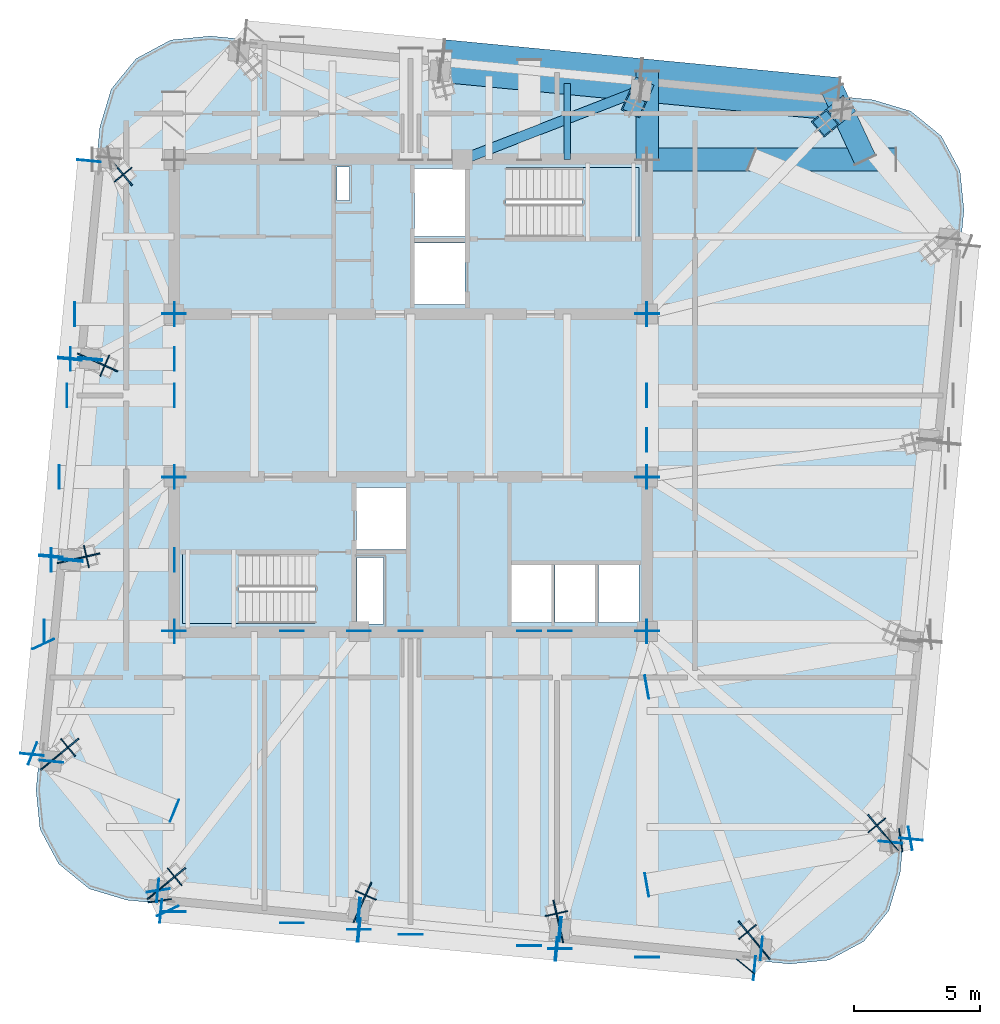
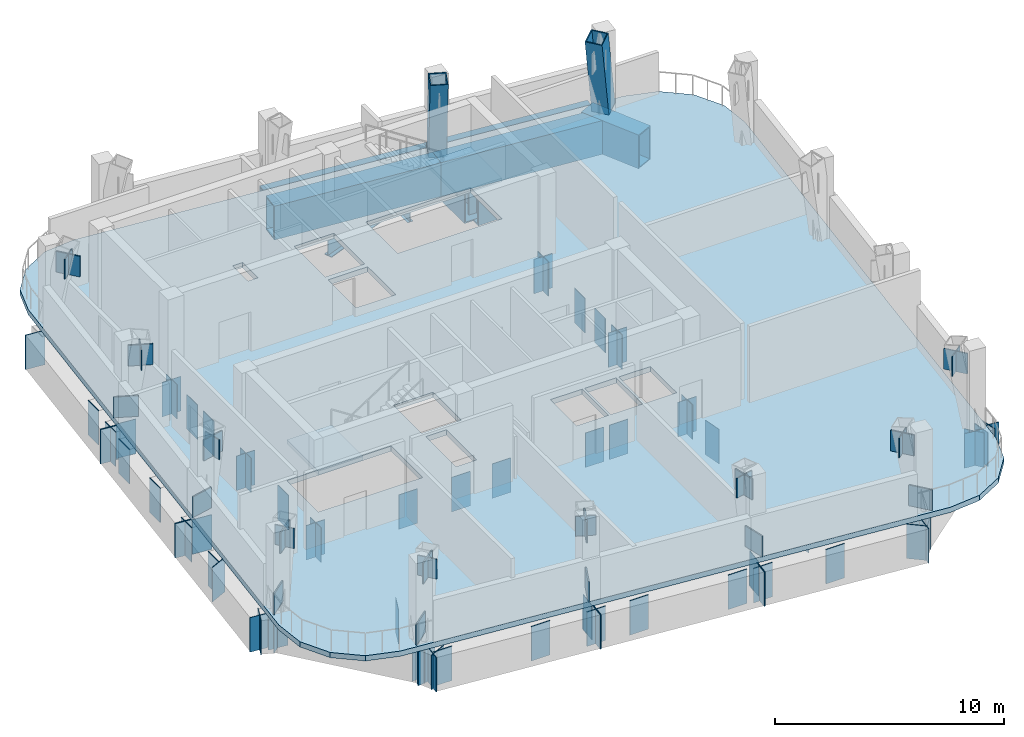
# One storey, part 3 of 9: 100 plates, 9 beams, 3 slabs, 2 members, 2 elements without a shape of their own.
"""IFC4 building model written with IfcOpenShell, lengths in metres."""

from ifc_helpers import new_model, si_unit, direction, frame, origin, origin_2d, place, context, subcontext, project, spatial, polyline, rectangle, hollow_rectangle, i_section, outline, extrude, material, layer, layer_set, material_profile, profile_set, type_object, element, aggregate, save


model = new_model("IFC4")

# Units and contexts
model_context = context("Model", 3, precision=1e-05, world=origin(), true_north=direction((0.0, 1.0)))
body_context = subcontext(model_context, "Body", "Model", "MODEL_VIEW")
ifc_project = project(units=[si_unit("LENGTHUNIT", "METRE"), si_unit("AREAUNIT", "SQUARE_METRE"), si_unit("VOLUMEUNIT", "CUBIC_METRE"), si_unit("PLANEANGLEUNIT", "RADIAN"), si_unit("MASSUNIT", "GRAM", prefix="KILO")], contexts=[model_context])

# Site, building, storey
site_placement = place(None, origin())
site = spatial("IfcSite", under=ifc_project, at=site_placement, CompositionType="ELEMENT")
building_placement = place(site_placement, origin())
building = spatial("IfcBuilding", under=site, at=building_placement, Name="Qhalaya Broadcast Tower", CompositionType="ELEMENT")
storey_placement = place(building_placement, frame((0.0, 0.0, 284.89990234375)))
storey = spatial("IfcBuildingStorey", under=building, at=storey_placement, Name="L84", CompositionType="ELEMENT", Elevation=284.89990234375)

# Beams
ifc_material_1 = material(Name="Structural Steel ASTM A572 Grade 50", Category="steel")
ifc_material_profile_1 = material_profile(ifc_material_1, hollow_rectangle(XDim=0.89990234375, YDim=1.800048828125, WallThickness=0.06005859375, at=origin_2d()), Name="BOX 900x1800x60")
ifc_profile_set_1 = profile_set([ifc_material_profile_1], Name="Structural Steel ASTM A572 Grade 50")
beam_type_1 = type_object("IfcBeamType", Name="Block Cantilever Transfer Box Girder TG1", PredefinedType="USERDEFINED", material=ifc_profile_set_1)
beam_1_placement = place(storey_placement, frame((17.08544921875, 11.93310546875, -1.179931640625), z_axis=(-0.995398119444, 0.095825799278, 0.0), x_axis=(-0.095825799278, -0.995398119444, 0.0)))
element("IfcBeam", 1, at=beam_1_placement, inside=storey, type_object=beam_type_1, Name="L84 TG1 L84-SPR-09", ObjectType="GIRDER", PredefinedType="USERDEFINED", context=body_context, shape_type="SweptSolid", body=[
    extrude(hollow_rectangle(XDim=0.89990234375, YDim=1.800048828125, WallThickness=0.06005859375, at=origin_2d()), origin(), (0.0, 0.0, 1.0), 8.0),
])
beam_2_placement = place(storey_placement, frame((9.122314453125, 12.69970703125, -1.179931640625), z_axis=(-0.995395488456, 0.095853124938, 0.0), x_axis=(-0.095853124938, -0.995395488456, 0.0)))
element("IfcBeam", 2, at=beam_2_placement, inside=storey, type_object=beam_type_1, Name="L84 TG1 L84-SPR-10", ObjectType="GIRDER", PredefinedType="USERDEFINED", context=body_context, shape_type="SweptSolid", body=[
    extrude(hollow_rectangle(XDim=0.89990234375, YDim=1.800048828125, WallThickness=0.06005859375, at=origin_2d()), origin(), (0.0, 0.0, 1.0), 8.000244140625),
])
beam_3_placement = place(storey_placement, frame((16.962890625, 12.74853515625, -1.179931640625), z_axis=(-0.995397023367, 0.095837184179, 0.0), x_axis=(-0.095837184179, -0.995397023367, 0.0)))
element("IfcBeam", 3, at=beam_3_placement, inside=storey, type_object=beam_type_1, Name="L84 TG1 L84-TGL-09", ObjectType="GIRDER", PredefinedType="USERDEFINED", context=body_context, shape_type="SweptSolid", body=[
    extrude(hollow_rectangle(XDim=0.89990234375, YDim=1.800048828125, WallThickness=0.06005859375, at=origin_2d()), origin(), (0.0, 0.0, 1.0), 7.866455078125),
])
beam_4_placement = place(storey_placement, frame((9.132568359375, 13.50244140625, -1.179931640625), z_axis=(-0.995397308407, 0.095834223619, 0.0), x_axis=(-0.095834223619, -0.995397308407, 0.0)))
element("IfcBeam", 4, at=beam_4_placement, inside=storey, type_object=beam_type_1, Name="L84 TG1 L84-TGL-10", ObjectType="GIRDER", PredefinedType="USERDEFINED", context=body_context, shape_type="SweptSolid", body=[
    extrude(hollow_rectangle(XDim=0.89990234375, YDim=1.800048828125, WallThickness=0.06005859375, at=origin_2d()), origin(), (0.0, 0.0, 1.0), 7.86669921875),
])
beam_5_placement = place(storey_placement, frame((9.375, 9.949951171875, -1.179931640625), z_axis=(0.0, 1.0, 0.0), x_axis=(-1.0, 0.0, 0.0)))
element("IfcBeam", 5, at=beam_5_placement, inside=storey, type_object=beam_type_1, Name="L84 TG1 L84-TGINE-1", ObjectType="GIRDER", PredefinedType="USERDEFINED", context=body_context, shape_type="SweptSolid", body=[
    extrude(hollow_rectangle(XDim=0.89990234375, YDim=1.800048828125, WallThickness=0.06005859375, at=origin_2d()), origin(), (0.0, 0.0, 1.0), 3.489013671875),
])
beam_6_placement = place(storey_placement, frame((9.375, 9.949951171875, -1.179931640625), z_axis=(1.0, 0.0, 0.0), x_axis=(0.0, 1.0, 0.0)))
element("IfcBeam", 6, at=beam_6_placement, inside=storey, type_object=beam_type_1, Name="L84 TG1 L84-TGIY4E-1", ObjectType="GIRDER", PredefinedType="USERDEFINED", context=body_context, shape_type="SweptSolid", body=[
    extrude(hollow_rectangle(XDim=0.89990234375, YDim=1.800048828125, WallThickness=0.06005859375, at=origin_2d()), origin(), (0.0, 0.0, 1.0), 9.843017578125),
])
beam_7_placement = place(storey_placement, frame((16.712646484375, 12.732421875, -1.179931640625), z_axis=(0.422585054242, -0.906323271207, 0.0), x_axis=(0.906323271207, 0.422585054242, 0.0)))
element("IfcBeam", 7, at=beam_7_placement, inside=storey, type_object=beam_type_1, Name="L84 Spanning Transfer Box Girder 09", ObjectType="GIRDER", PredefinedType="USERDEFINED", context=body_context, shape_type="SweptSolid", body=[
    extrude(hollow_rectangle(XDim=0.89990234375, YDim=1.800048828125, WallThickness=0.06005859375, at=origin_2d()), origin(), (0.0, 0.0, 1.0), 3.070068359375),
])
ifc_material_2 = material(Name="Structural Steel ASTM A992 Grade 50", Category="steel")
ifc_material_profile_2 = material_profile(ifc_material_2, i_section(OverallWidth=0.26708984375, OverallDepth=0.761962890625, WebThickness=0.014404296875, FlangeThickness=0.021484375, at=origin_2d()), Name="W30X116")
ifc_profile_set_2 = profile_set([ifc_material_profile_2], Name="Structural Steel ASTM A992 Grade 50")
beam_type_2 = type_object("IfcBeamType", Name="Plant & Server Floor Beam B02", PredefinedType="BEAM", material=ifc_profile_set_2)
beam_8_placement = place(storey_placement, frame((6.199951171875, 9.949951171875, -0.660888671875), z_axis=(0.0, 1.0, 0.0), x_axis=(-1.0, 0.0, 0.0)))
element("IfcBeam", 8, at=beam_8_placement, inside=storey, type_object=beam_type_2, Name="L84 B02 L84-JNN5-1", PredefinedType="BEAM", context=body_context, shape_type="SweptSolid", body=[
    extrude(i_section(OverallWidth=0.26708984375, OverallDepth=0.761962890625, WebThickness=0.014404296875, FlangeThickness=0.021484375, at=origin_2d()), origin(), (0.0, 0.0, 1.0), 3.010986328125),
])
ifc_material_profile_3 = material_profile(ifc_material_2, i_section(OverallWidth=0.404052734375, OverallDepth=1.117919921875, WebThickness=0.026123046875, FlangeThickness=0.044921875, at=origin_2d()), Name="W44X335")
ifc_profile_set_3 = profile_set([ifc_material_profile_3], Name="Structural Steel ASTM A992 Grade 50")
beam_type_3 = type_object("IfcBeamType", Name="Podium Long-Span Primary Girder PG1", PredefinedType="USERDEFINED", material=ifc_profile_set_3)
beam_9_placement = place(storey_placement, frame((2.050048828125, 9.949951171875, -0.8388671875), z_axis=(0.932030029297, 0.362381048743, 0.0), x_axis=(-0.362381048743, 0.932030029297, 0.0)))
element("IfcBeam", 9, at=beam_9_placement, inside=storey, type_object=beam_type_3, Name="L84 Column-to-Column Moment Tie Girder 10-1", ObjectType="GIRDER", PredefinedType="USERDEFINED", context=body_context, shape_type="SweptSolid", body=[
    extrude(i_section(OverallWidth=0.404052734375, OverallDepth=1.117919921875, WebThickness=0.026123046875, FlangeThickness=0.044921875, at=origin_2d()), origin(), (0.0, 0.0, 1.0), 7.588134765625),
])

# Members
ifc_material_profile_4 = material_profile(ifc_material_1, hollow_rectangle(XDim=0.800048828125, YDim=0.800048828125, WallThickness=0.050048828125, at=origin_2d()), Name="BOX 800x800x50")
ifc_profile_set_4 = profile_set([ifc_material_profile_4], Name="Structural Steel ASTM A572 Grade 50")
member_type = type_object("IfcMemberType", Name="Upper Exoskeleton Transfer Strut RK2", PredefinedType="BRACE", material=ifc_profile_set_4)
member_1_placement = place(storey_placement, frame((17.08544921875, 11.93310546875, 0.088134765625), z_axis=(-0.150676893233, -0.124215738605, 0.980748145106), x_axis=(0.636100456597, -0.771606252643, 0.0)))
element("IfcMember", 10, at=member_1_placement, inside=storey, type_object=member_type, Name="L84 Inclined Exoskeleton Transfer Strut 09", PredefinedType="BRACE", context=body_context, shape_type="SweptSolid", body=[
    extrude(hollow_rectangle(XDim=0.800048828125, YDim=0.800048828125, WallThickness=0.050048828125, at=origin_2d()), origin(), (0.0, 0.0, 1.0), 4.345703125),
])
member_2_placement = place(storey_placement, frame((9.122314453125, 12.69970703125, 0.068603515625), z_axis=(-0.059343183873, -0.133578573584, 0.989259900737), x_axis=(0.913875195461, -0.405995230416, 0.0)))
element("IfcMember", 11, at=member_2_placement, inside=storey, type_object=member_type, Name="L84 Inclined Exoskeleton Transfer Strut 10", PredefinedType="BRACE", context=body_context, shape_type="SweptSolid", body=[
    extrude(hollow_rectangle(XDim=0.800048828125, YDim=0.800048828125, WallThickness=0.050048828125, at=origin_2d()), origin(), (0.0, 0.0, 1.0), 4.327880859375),
])

# Plates
ifc_layer_1 = layer(ifc_material_1, 0.054931640625, Name="Structural Steel ASTM A572 Grade 50")
ifc_layer_set_1 = layer_set([ifc_layer_1], Name="Structural Steel ASTM A572 Grade 50")
plate_type_1 = type_object("IfcPlateType", Name="Exoskeleton Diamond Node Gusset Plate NP-01", PredefinedType="USERDEFINED", material=ifc_layer_set_1)
for number, where, z_axis, x_axis, name in (
    (12, (-10.00537109375, -19.012939453125, 0.0), (0.0, 0.0, 1.0), (0.771613481611, 0.63609168757, 0.0), "L84 Strut Foot Gusset Plate 01"),
    (13, (-9.3505859375, -18.47314453125, 2.7099609375), (0.0, 0.0, 1.0), (0.771613481611, 0.63609168757, 0.0), "L84 Strut Head Gusset Plate 01"),
    (14, (-2.042236328125, -19.77978515625, 0.0), (0.0, 0.0, 1.0), (0.405763805803, 0.913977972328, 0.0), "L84 Strut Foot Gusset Plate 02"),
    (15, (-1.78564453125, -19.20166015625, 2.7099609375), (0.0, 0.0, 1.0), (0.405763805803, 0.913977972328, 0.0), "L84 Strut Head Gusset Plate 02"),
    (16, (5.9208984375, -20.54638671875, 0.0), (0.0, 0.0, 1.0), (-0.223896552969, 0.974612914735, 0.0), "L84 Strut Foot Gusset Plate 03"),
    (17, (5.779296875, -19.93017578125, 2.7099609375), (0.0, 0.0, 1.0), (-0.223896552969, 0.974612914735, 0.0), "L84 Strut Head Gusset Plate 03"),
    (18, (13.884033203125, -21.313232421875, 0.0), (0.0, 0.0, 1.0), (-0.636024349169, 0.771668988144, 0.0), "L84 Strut Foot Gusset Plate 04"),
    (19, (13.344482421875, -20.658447265625, 2.7099609375), (0.0, 0.0, 1.0), (-0.636024349169, 0.771668988144, 0.0), "L84 Strut Head Gusset Plate 04"),
    (20, (18.47314453125, -16.4306640625, 2.7099609375), (0.0, 0.0, 1.0), (-0.63609168757, 0.771613481611, 0.0), "L84 Strut Head Gusset Plate 05"),
    (21, (-11.393310546875, 9.3505859375, 2.7099609375), (0.0, 0.0, 1.0), (0.63609168757, -0.771613481611, 0.0), "L84 Strut Head Gusset Plate 13"),
    (22, (-12.69970703125, 2.042236328125, 0.0), (0.0, 0.0, 1.0), (0.913977972328, -0.405763805803, 0.0), "L84 Strut Foot Gusset Plate 14"),
    (23, (-12.12158203125, 1.78564453125, 2.7099609375), (0.0, 0.0, 1.0), (0.913977972328, -0.405763805803, 0.0), "L84 Strut Head Gusset Plate 14"),
    (24, (-13.466552734375, -5.9208984375, 0.0), (0.0, 0.0, 1.0), (0.974612914735, 0.223896552969, 0.0), "L84 Strut Foot Gusset Plate 15"),
    (25, (-12.85009765625, -5.779296875, 2.7099609375), (0.0, 0.0, 1.0), (0.974612914735, 0.223896552969, 0.0), "L84 Strut Head Gusset Plate 15"),
    (26, (-14.2333984375, -13.884033203125, 0.0), (0.0, 0.0, 1.0), (0.771668988144, 0.636024349169, 0.0), "L84 Strut Foot Gusset Plate 16"),
    (27, (-13.57861328125, -13.344482421875, 2.7099609375), (0.0, 0.0, 1.0), (0.771668988144, 0.636024349169, 0.0), "L84 Strut Head Gusset Plate 16"),
):
    element("IfcPlate", number, at=place(storey_placement, frame(where, z_axis=z_axis, x_axis=x_axis)), inside=storey, type_object=plate_type_1, Name=name, ObjectType="GUSSET_PLATE", PredefinedType="USERDEFINED", context=body_context, shape_type="SweptSolid", body=[
        extrude(rectangle(XDim=1.10009765625, YDim=0.06005859375, at=origin_2d()), origin(), (0.0, 0.0, 1.0), 1.10009765625),
    ])
ifc_layer_2 = layer(ifc_material_1, 0.4599609375, Name="Structural Steel ASTM A572 Grade 50")
ifc_layer_set_2 = layer_set([ifc_layer_2], Name="Structural Steel ASTM A572 Grade 50")
plate_type_2 = type_object("IfcPlateType", Name="Hollow Box Member End Cap Plate CP-01", PredefinedType="USERDEFINED", material=ifc_layer_set_2)
for number, where, z_axis, x_axis, name in (
    (28, (-10.021240234375, -19.011474609375, -2.10009765625), (0.0, 0.0, 1.0), (0.09584575252, 0.995396198367, 0.0), "L84 Hollow Girder End Cap L84-SPR-01-A"),
    (29, (-2.0263671875, -19.78125, -2.10009765625), (0.0, 0.0, 1.0), (0.09584575252, 0.995396198367, 0.0), "L84 Hollow Girder End Cap L84-SPR-01-B"),
    (30, (-2.05810546875, -19.7783203125, -2.10009765625), (0.0, 0.0, 1.0), (0.09584575252, 0.995396198367, 0.0), "L84 Hollow Girder End Cap L84-SPR-02-A"),
    (31, (5.93701171875, -20.548095703125, -2.10009765625), (0.0, 0.0, 1.0), (0.09584575252, 0.995396198367, 0.0), "L84 Hollow Girder End Cap L84-SPR-02-B"),
    (32, (5.905029296875, -20.544921875, -2.10009765625), (0.0, 0.0, 1.0), (0.09584575252, 0.995396198367, 0.0), "L84 Hollow Girder End Cap L84-SPR-03-A"),
    (33, (13.89990234375, -21.314697265625, -2.10009765625), (0.0, 0.0, 1.0), (0.09584575252, 0.995396198367, 0.0), "L84 Hollow Girder End Cap L84-SPR-03-B"),
    (34, (13.871826171875, -21.323486328125, -2.10009765625), (0.0, 0.0, 1.0), (-0.636078220278, 0.771624583388, 0.0), "L84 Hollow Girder End Cap L84-SPR-04-A"),
    (35, (19.025390625, -17.0751953125, -2.10009765625), (0.0, 0.0, 1.0), (-0.636078220278, 0.771624583388, 0.0), "L84 Hollow Girder End Cap L84-SPR-04-B"),
    (36, (19.011474609375, -17.101318359375, -2.10009765625), (0.0, 0.0, 1.0), (-0.995396198367, 0.09584575252, 0.0), "L84 Hollow Girder End Cap L84-SPR-05-A"),
    (37, (-12.701171875, 2.0263671875, -2.10009765625), (0.0, 0.0, 1.0), (0.995396198367, -0.09584575252, 0.0), "L84 Hollow Girder End Cap L84-SPR-13-B"),
    (38, (-12.6982421875, 2.05810546875, -2.10009765625), (0.0, 0.0, 1.0), (0.995396198367, -0.09584575252, 0.0), "L84 Hollow Girder End Cap L84-SPR-14-A"),
    (39, (-13.468017578125, -5.93701171875, -2.10009765625), (0.0, 0.0, 1.0), (0.995396198367, -0.09584575252, 0.0), "L84 Hollow Girder End Cap L84-SPR-14-B"),
    (40, (-13.465087890625, -5.905029296875, -2.10009765625), (0.0, 0.0, 1.0), (0.995396198367, -0.09584575252, 0.0), "L84 Hollow Girder End Cap L84-SPR-15-A"),
    (41, (-14.23486328125, -13.89990234375, -2.10009765625), (0.0, 0.0, 1.0), (0.995396198367, -0.09584575252, 0.0), "L84 Hollow Girder End Cap L84-SPR-15-B"),
    (42, (-14.243408203125, -13.871826171875, -2.10009765625), (0.0, 0.0, 1.0), (0.771624583388, 0.636078220278, 0.0), "L84 Hollow Girder End Cap L84-SPR-16-A"),
    (43, (-9.9951171875, -19.025390625, -2.10009765625), (0.0, 0.0, 1.0), (0.771624583388, 0.636078220278, 0.0), "L84 Hollow Girder End Cap L84-SPR-16-B"),
    (44, (-9.89892578125, -19.826904296875, -2.10009765625), (0.0, 0.0, 1.0), (0.095828379565, 0.99539787104, 0.0), "L84 Hollow Girder End Cap L84-TGL-01-A"),
    (45, (-2.03662109375, -20.583984375, -2.10009765625), (0.0, 0.0, 1.0), (0.095828379565, 0.99539787104, 0.0), "L84 Hollow Girder End Cap L84-TGL-01-B"),
    (46, (-2.068359375, -20.580810546875, -2.10009765625), (0.0, 0.0, 1.0), (0.09584575252, 0.995396198367, 0.0), "L84 Hollow Girder End Cap L84-TGL-02-A"),
    (47, (5.793701171875, -21.337890625, -2.10009765625), (0.0, 0.0, 1.0), (0.09584575252, 0.995396198367, 0.0), "L84 Hollow Girder End Cap L84-TGL-02-B"),
    (48, (5.761962890625, -21.3349609375, -2.10009765625), (0.0, 0.0, 1.0), (0.09584575252, 0.995396198367, 0.0), "L84 Hollow Girder End Cap L84-TGL-03-A"),
    (49, (13.624267578125, -22.091796875, -2.10009765625), (0.0, 0.0, 1.0), (0.09584575252, 0.995396198367, 0.0), "L84 Hollow Girder End Cap L84-TGL-03-B"),
    (50, (19.826904296875, -16.97900390625, -2.10009765625), (0.0, 0.0, 1.0), (-0.99539787104, 0.095828379565, 0.0), "L84 Hollow Girder End Cap L84-TGL-05-A"),
    (51, (-12.7470703125, 9.89892578125, -2.10009765625), (0.0, 0.0, 1.0), (0.99539787104, -0.095828379565, 0.0), "L84 Hollow Girder End Cap L84-TGL-13-A"),
    (52, (-13.50390625, 2.03662109375, -2.10009765625), (0.0, 0.0, 1.0), (0.99539787104, -0.095828379565, 0.0), "L84 Hollow Girder End Cap L84-TGL-13-B"),
    (53, (-13.5009765625, 2.068359375, -2.10009765625), (0.0, 0.0, 1.0), (0.995396198367, -0.09584575252, 0.0), "L84 Hollow Girder End Cap L84-TGL-14-A"),
    (54, (-14.2578125, -5.793701171875, -2.10009765625), (0.0, 0.0, 1.0), (0.995396198367, -0.09584575252, 0.0), "L84 Hollow Girder End Cap L84-TGL-14-B"),
    (55, (-14.2548828125, -5.761962890625, -2.10009765625), (0.0, 0.0, 1.0), (0.995396198367, -0.09584575252, 0.0), "L84 Hollow Girder End Cap L84-TGL-15-A"),
    (56, (-15.011962890625, -13.624267578125, -2.10009765625), (0.0, 0.0, 1.0), (0.995396198367, -0.09584575252, 0.0), "L84 Hollow Girder End Cap L84-TGL-15-B"),
    (57, (0.0, -20.755859375, -2.10009765625), (0.0, 0.0, 1.0), (-1.0, 0.0, 0.0), "L84 Hollow Girder End Cap L84-TGIMS-1-A"),
    (58, (0.0, -8.73388671875, -2.10009765625), (0.0, 0.0, 1.0), (-1.0, 0.0, 0.0), "L84 Hollow Girder End Cap L84-TGIMS-1-B"),
    (59, (-4.699951171875, -20.30322265625, -2.10009765625), (0.0, 0.0, 1.0), (-1.0, 0.0, 0.0), "L84 Hollow Girder End Cap L84-TGIMSW-1-A"),
    (60, (-4.699951171875, -8.73388671875, -2.10009765625), (0.0, 0.0, 1.0), (-1.0, 0.0, 0.0), "L84 Hollow Girder End Cap L84-TGIMSW-1-B"),
    (61, (4.699951171875, -21.20849609375, -2.10009765625), (0.0, 0.0, 1.0), (-1.0, 0.0, 0.0), "L84 Hollow Girder End Cap L84-TGIMSE-1-A"),
    (62, (4.699951171875, -8.73388671875, -2.10009765625), (0.0, 0.0, 1.0), (-1.0, 0.0, 0.0), "L84 Hollow Girder End Cap L84-TGIMSE-1-B"),
    (63, (-13.6181640625, 0.60009765625, -2.10009765625), (0.0, 0.0, 1.0), (0.0, 1.0, 0.0), "L84 Hollow Girder End Cap L84-TGIYW-1-A"),
    (64, (-9.35888671875, 0.60009765625, -2.10009765625), (0.0, 0.0, 1.0), (0.0, 1.0, 0.0), "L84 Hollow Girder End Cap L84-TGIYW-1-B"),
    (65, (9.35888671875, 0.60009765625, -2.10009765625), (0.0, 0.0, 1.0), (0.0, 1.0, 0.0), "L84 Hollow Girder End Cap L84-TGIYE-1-A"),
    (66, (-9.375, -19.853271484375, -2.10009765625), (0.0, 0.0, 1.0), (-1.0, 0.0, 0.0), "L84 Hollow Girder End Cap L84-TGISW-1-A"),
    (67, (-9.375, -8.73388671875, -2.10009765625), (0.0, 0.0, 1.0), (-1.0, 0.0, 0.0), "L84 Hollow Girder End Cap L84-TGISW-1-B"),
    (68, (9.375, -21.65869140625, -2.10009765625), (0.0, 0.0, 1.0), (-1.0, 0.0, 0.0), "L84 Hollow Girder End Cap L84-TGISE-1-A"),
    (69, (9.375, -8.73388671875, -2.10009765625), (0.0, 0.0, 1.0), (-1.0, 0.0, 0.0), "L84 Hollow Girder End Cap L84-TGISE-1-B"),
    (70, (-9.375, -2.64111328125, -2.10009765625), (0.0, 0.0, 1.0), (-1.0, 0.0, 0.0), "L84 Hollow Girder End Cap L84-TGIMW-1-A"),
    (71, (-9.375, 3.841064453125, -2.10009765625), (0.0, 0.0, 1.0), (-1.0, 0.0, 0.0), "L84 Hollow Girder End Cap L84-TGIMW-1-B"),
    (72, (9.375, -2.64111328125, -2.10009765625), (0.0, 0.0, 1.0), (-1.0, 0.0, 0.0), "L84 Hollow Girder End Cap L84-TGIME-1-A"),
    (73, (9.375, 3.841064453125, -2.10009765625), (0.0, 0.0, 1.0), (-1.0, 0.0, 0.0), "L84 Hollow Girder End Cap L84-TGIME-1-B"),
    (74, (-14.518310546875, -8.75, -2.10009765625), (0.0, 0.0, 1.0), (0.0, 1.0, 0.0), "L84 Hollow Girder End Cap L84-TGIY1W-1-A"),
    (75, (-9.35888671875, -8.75, -2.10009765625), (0.0, 0.0, 1.0), (0.0, 1.0, 0.0), "L84 Hollow Girder End Cap L84-TGIY1W-1-B"),
    (76, (9.35888671875, -8.75, -2.10009765625), (0.0, 0.0, 1.0), (0.0, 1.0, 0.0), "L84 Hollow Girder End Cap L84-TGIY1E-1-A"),
    (77, (-13.9287109375, -2.625, -2.10009765625), (0.0, 0.0, 1.0), (0.0, 1.0, 0.0), "L84 Hollow Girder End Cap L84-TGIY2W-1-A"),
    (78, (-9.35888671875, -2.625, -2.10009765625), (0.0, 0.0, 1.0), (0.0, 1.0, 0.0), "L84 Hollow Girder End Cap L84-TGIY2W-1-B"),
    (79, (9.35888671875, -2.625, -2.10009765625), (0.0, 0.0, 1.0), (0.0, 1.0, 0.0), "L84 Hollow Girder End Cap L84-TGIY2E-1-A"),
    (80, (-13.3076171875, 3.824951171875, -2.10009765625), (0.0, 0.0, 1.0), (0.0, 1.0, 0.0), "L84 Hollow Girder End Cap L84-TGIY3W-1-A"),
    (81, (-9.35888671875, 3.824951171875, -2.10009765625), (0.0, 0.0, 1.0), (0.0, 1.0, 0.0), "L84 Hollow Girder End Cap L84-TGIY3W-1-B"),
    (82, (9.35888671875, 3.824951171875, -2.10009765625), (0.0, 0.0, 1.0), (0.0, 1.0, 0.0), "L84 Hollow Girder End Cap L84-TGIY3E-1-A"),
    (83, (-14.55859375, -9.248779296875, -2.10009765625), (0.0, 0.0, 1.0), (0.906307787037, 0.422618261741, 0.0), "L84 Hollow Girder End Cap L84-TGC-01-A"),
    (84, (-9.625732421875, -19.826904296875, -2.10009765625), (0.0, 0.0, 1.0), (0.906307787037, 0.422618261741, 0.0), "L84 Hollow Girder End Cap L84-TGC-01-B"),
):
    element("IfcPlate", number, at=place(storey_placement, frame(where, z_axis=z_axis, x_axis=x_axis)), inside=storey, type_object=plate_type_2, Name=name, ObjectType="COVER_PLATE", PredefinedType="USERDEFINED", context=body_context, shape_type="SweptSolid", body=[
        extrude(rectangle(XDim=0.93994140625, YDim=0.031982421875, at=origin_2d()), origin(), (0.0, 0.0, 1.0), 1.840087890625),
    ])
plate_placement = place(storey_placement, frame((-10.00537109375, -19.012939453125, -2.080078125), z_axis=(0.0, 0.0, 1.0), x_axis=(-0.988922796752, -0.148430798906, 0.0)))
element("IfcPlate", 85, at=plate_placement, inside=storey, type_object=plate_type_2, Name="L84 Transfer Box End Cap 01", ObjectType="COVER_PLATE", PredefinedType="USERDEFINED", context=body_context, shape_type="SweptSolid", body=[
    extrude(rectangle(XDim=0.919921875, YDim=0.035888671875, at=origin_2d()), origin(), (0.0, 0.0, 1.0), 1.800048828125),
])
for number, where, z_axis, x_axis, name in (
    (86, (-2.042236328125, -20.55908203125, -2.10009765625), (0.0, 0.0, 1.0), (-1.0, 0.0, 0.0), "L84 Hollow Girder End Cap L84-TGC-02-A"),
    (87, (-2.042236328125, -8.73388671875, -2.10009765625), (0.0, 0.0, 1.0), (-1.0, 0.0, 0.0), "L84 Hollow Girder End Cap L84-TGC-02-B"),
    (88, (5.9208984375, -21.325927734375, -2.10009765625), (0.0, 0.0, 1.0), (-1.0, 0.0, 0.0), "L84 Hollow Girder End Cap L84-TGC-03-A"),
    (89, (5.9208984375, -8.73388671875, -2.10009765625), (0.0, 0.0, 1.0), (-1.0, 0.0, 0.0), "L84 Hollow Girder End Cap L84-TGC-03-B"),
    (90, (13.281005859375, -22.031982421875, -2.10009765625), (0.0, 0.0, 1.0), (-0.766044443119, 0.642787609687, 0.0), "L84 Hollow Girder End Cap L84-TGC-04-A"),
    (91, (9.359130859375, -18.78759765625, -2.10009765625), (0.0, 0.0, 1.0), (-0.173648177667, 0.984807753012, 0.0), "L84 Hollow Girder End Cap L84-TGC-05-A"),
    (92, (19.79736328125, -16.947021484375, -2.10009765625), (0.0, 0.0, 1.0), (-0.173648177667, 0.984807753012, 0.0), "L84 Hollow Girder End Cap L84-TGC-05-B"),
    (93, (9.359130859375, -10.959716796875, -2.10009765625), (0.0, 0.0, 1.0), (-0.173648177667, 0.984807753012, 0.0), "L84 Hollow Girder End Cap L84-TGC-06-A"),
    (94, (9.35888671875, -1.158935546875, -2.10009765625), (0.0, 0.0, 1.0), (0.0, 1.0, 0.0), "L84 Hollow Girder End Cap L84-TGC-07-A"),
    (95, (-13.479248046875, 2.042236328125, -2.10009765625), (0.0, 0.0, 1.0), (0.0, 1.0, 0.0), "L84 Hollow Girder End Cap L84-TGC-14-A"),
    (96, (-9.35888671875, 2.042236328125, -2.10009765625), (0.0, 0.0, 1.0), (0.0, 1.0, 0.0), "L84 Hollow Girder End Cap L84-TGC-14-B"),
    (97, (-14.24609375, -5.9208984375, -2.10009765625), (0.0, 0.0, 1.0), (0.0, 1.0, 0.0), "L84 Hollow Girder End Cap L84-TGC-15-A"),
    (98, (-9.35888671875, -5.9208984375, -2.10009765625), (0.0, 0.0, 1.0), (0.0, 1.0, 0.0), "L84 Hollow Girder End Cap L84-TGC-15-B"),
    (99, (-14.98291015625, -13.581298828125, -2.10009765625), (0.0, 0.0, 1.0), (0.374606593416, 0.927183854567, 0.0), "L84 Hollow Girder End Cap L84-TGC-16-A"),
    (100, (-9.360107421875, -15.85302734375, -2.10009765625), (0.0, 0.0, 1.0), (0.374606593416, 0.927183854567, 0.0), "L84 Hollow Girder End Cap L84-TGC-16-B"),
):
    element("IfcPlate", number, at=place(storey_placement, frame(where, z_axis=z_axis, x_axis=x_axis)), inside=storey, type_object=plate_type_2, Name=name, ObjectType="COVER_PLATE", PredefinedType="USERDEFINED", context=body_context, shape_type="SweptSolid", body=[
        extrude(rectangle(XDim=0.93994140625, YDim=0.031982421875, at=origin_2d()), origin(), (0.0, 0.0, 1.0), 1.840087890625),
    ])

# Slab
ifc_material_3 = material(Name="Concrete C40/50", Category="concrete")
ifc_layer_3 = layer(ifc_material_3, 0.280029296875, Name="Concrete C40/50")
ifc_layer_set_3 = layer_set([ifc_layer_3], Name="Concrete C40/50")
slab_type_1 = type_object("IfcSlabType", Name="Plant & Refuge Heavy Duty Floor Slab 280", PredefinedType="FLOOR", material=ifc_layer_set_3)
slab_1_placement = place(storey_placement, frame((0.0, 0.0, -0.27978515625)))
element("IfcSlab", 101, at=slab_1_placement, inside=storey, type_object=slab_type_1, Name="L84 Main Structural Floor Slab", PredefinedType="FLOOR", context=body_context, shape_type="SweptSolid", body=[
    extrude(outline(polyline([(15.03076171875, -21.926025390625), (16.58349609375, -21.76953125), (17.95849609375, -21.031005859375), (18.94580078125, -19.822265625), (19.395751953125, -18.327880859375), (21.926025390625, 7.95068359375), (21.76953125, 9.503662109375), (21.031005859375, 10.87841796875), (19.822265625, 11.865966796875), (18.327880859375, 12.315673828125), (-7.95068359375, 14.845947265625), (-9.503662109375, 14.689697265625), (-10.87841796875, 13.950927734375), (-11.865966796875, 12.7421875), (-12.315673828125, 11.247802734375), (-14.845947265625, -15.03076171875), (-14.689697265625, -16.58349609375), (-13.950927734375, -17.95849609375), (-12.7421875, -18.94580078125), (-11.247802734375, -19.395751953125), (15.03076171875, -21.926025390625)]), holes=[polyline([(3.784912109375, 9.639892578125), (9.050048828125, 9.639892578125), (9.050048828125, 6.8798828125), (3.784912109375, 6.8798828125), (3.784912109375, 9.639892578125)]), polyline([(-3.784912109375, -8.43994140625), (-9.050048828125, -8.43994140625), (-9.050048828125, -5.679931640625), (-3.784912109375, -5.679931640625), (-3.784912109375, -8.43994140625)]), polyline([(0.14990234375, 6.64990234375), (2.14990234375, 6.64990234375), (2.14990234375, 4.199951171875), (0.14990234375, 4.199951171875), (0.14990234375, 6.64990234375)]), polyline([(0.14990234375, 9.60009765625), (2.14990234375, 9.60009765625), (2.14990234375, 6.89990234375), (0.14990234375, 6.89990234375), (0.14990234375, 9.60009765625)]), polyline([(-2.14990234375, -3.050048828125), (-0.14990234375, -3.050048828125), (-0.14990234375, -5.5), (-2.14990234375, -5.5), (-2.14990234375, -3.050048828125)]), polyline([(4.0, -6.10009765625), (5.60009765625, -6.10009765625), (5.60009765625, -8.39990234375), (4.0, -8.39990234375), (4.0, -6.10009765625)]), polyline([(5.719970703125, -6.10009765625), (7.320068359375, -6.10009765625), (7.320068359375, -8.39990234375), (5.719970703125, -8.39990234375), (5.719970703125, -6.10009765625)]), polyline([(7.43994140625, -6.10009765625), (9.0400390625, -6.10009765625), (9.0400390625, -8.39990234375), (7.43994140625, -8.39990234375), (7.43994140625, -6.10009765625)]), polyline([(-2.919921875, 9.659912109375), (-2.419921875, 9.659912109375), (-2.419921875, 8.320068359375), (-2.919921875, 8.320068359375), (-2.919921875, 9.659912109375)]), polyline([(-2.1201171875, -5.820068359375), (-1.080078125, -5.820068359375), (-1.080078125, -8.4599609375), (-2.1201171875, -8.4599609375), (-2.1201171875, -5.820068359375)])]), origin(), (0.0, 0.0, 1.0), 0.27978515625),
])

# Stair, slab
stair_type = type_object("IfcStairType", Name="Protected Dogleg Core Stair 4200", PredefinedType="TWO_STRAIGHT_RUN_STAIR", material=ifc_material_3)
stair_1_placement = place(storey_placement, origin())
stair_1 = element("IfcStair", 102, at=stair_1_placement, inside=storey, type_object=stair_type, Name="L84 North Core Exit Stair ST-1", PredefinedType="TWO_STRAIGHT_RUN_STAIR")
ifc_layer_4 = layer(ifc_material_3, 0.199951171875, Name="Concrete C40/50")
ifc_layer_set_4 = layer_set([ifc_layer_4], Name="Concrete C40/50")
slab_type_2 = type_object("IfcSlabType", Name="Stair & Ramp Half-Landing Slab 200", PredefinedType="LANDING", material=ifc_layer_set_4)
slab_2_placement = place(storey_placement, frame((0.0, 0.0, 1.97509765625)))
slab_2 = element("IfcSlab", 103, at=slab_2_placement, type_object=slab_type_2, Name="ST-1 landing 1", PredefinedType="LANDING", context=body_context, shape_type="SweptSolid", body=[
    extrude(outline(polyline([(6.794921875, 6.8798828125), (9.050048828125, 6.8798828125), (9.050048828125, 9.639892578125), (6.794921875, 9.639892578125), (6.794921875, 6.8798828125)])), origin(), (0.0, 0.0, 1.0), 0.199951171875),
])
aggregate(stair_1, [slab_2])

stair_2_placement = place(storey_placement, origin())
stair_2 = element("IfcStair", 104, at=stair_2_placement, inside=storey, type_object=stair_type, Name="L84 South Core Exit Stair ST-2", PredefinedType="TWO_STRAIGHT_RUN_STAIR")
slab_3_placement = place(storey_placement, frame((0.0, 0.0, 1.97509765625)))
slab_3 = element("IfcSlab", 105, at=slab_3_placement, type_object=slab_type_2, Name="ST-2 landing 1", PredefinedType="LANDING", context=body_context, shape_type="SweptSolid", body=[
    extrude(outline(polyline([(-6.794921875, -5.679931640625), (-9.050048828125, -5.679931640625), (-9.050048828125, -8.43994140625), (-6.794921875, -8.43994140625), (-6.794921875, -5.679931640625)])), origin(), (0.0, 0.0, 1.0), 0.199951171875),
])
aggregate(stair_2, [slab_3])

# Plates
ifc_layer_5 = layer(ifc_material_1, 0.044921875, Name="Structural Steel ASTM A572 Grade 50")
ifc_layer_set_5 = layer_set([ifc_layer_5], Name="Structural Steel ASTM A572 Grade 50")
plate_type_3 = type_object("IfcPlateType", Name="Transfer Girder Web Stiffener Plate WS-01", PredefinedType="USERDEFINED", material=ifc_layer_set_5)
for number, where, z_axis, x_axis, name in (
    (106, (-9.944091796875, -19.420654296875, -2.080078125), (0.0, 0.0, 1.0), (-0.988922796752, -0.148430798906, 0.0), "L84 Transfer Girder Stiffener 01"),
    (107, (19.420654296875, -17.024169921875, -2.080078125), (0.0, 0.0, 1.0), (0.148430798906, -0.988922796752, 0.0), "L84 Transfer Girder Stiffener 05"),
):
    element("IfcPlate", number, at=place(storey_placement, frame(where, z_axis=z_axis, x_axis=x_axis)), inside=storey, type_object=plate_type_3, Name=name, ObjectType="STIFFENER_PLATE", PredefinedType="USERDEFINED", context=body_context, shape_type="SweptSolid", body=[
        extrude(rectangle(XDim=0.93994140625, YDim=0.044921875, at=origin_2d()), origin(), (0.0, 0.0, 1.0), 1.800048828125),
    ])
for number, where, z_axis, x_axis, name in (
    (108, (-9.3505859375, -18.47314453125, 2.73486328125), (0.0, 0.0, 1.0), (-0.63609168757, 0.771613481611, 0.0), "L84 Strut Head Cross Diaphragm Plate 01"),
    (109, (-1.78564453125, -19.20166015625, 2.73486328125), (0.0, 0.0, 1.0), (-0.913977972328, 0.405763805803, 0.0), "L84 Strut Head Cross Diaphragm Plate 02"),
    (110, (5.779296875, -19.93017578125, 2.73486328125), (0.0, 0.0, 1.0), (-0.974612914735, -0.223896552969, 0.0), "L84 Strut Head Cross Diaphragm Plate 03"),
    (111, (13.344482421875, -20.658447265625, 2.73486328125), (0.0, 0.0, 1.0), (-0.771668988144, -0.636024349169, 0.0), "L84 Strut Head Cross Diaphragm Plate 04"),
    (112, (18.47314453125, -16.4306640625, 2.73486328125), (0.0, 0.0, 1.0), (-0.771613481611, -0.63609168757, 0.0), "L84 Strut Head Cross Diaphragm Plate 05"),
    (113, (-11.393310546875, 9.3505859375, 2.73486328125), (0.0, 0.0, 1.0), (0.771613481611, 0.63609168757, 0.0), "L84 Strut Head Cross Diaphragm Plate 13"),
    (114, (-12.12158203125, 1.78564453125, 2.73486328125), (0.0, 0.0, 1.0), (0.405763805803, 0.913977972328, 0.0), "L84 Strut Head Cross Diaphragm Plate 14"),
    (115, (-12.85009765625, -5.779296875, 2.73486328125), (0.0, 0.0, 1.0), (-0.223896552969, 0.974612914735, 0.0), "L84 Strut Head Cross Diaphragm Plate 15"),
    (116, (-13.57861328125, -13.344482421875, 2.73486328125), (0.0, 0.0, 1.0), (-0.636024349169, 0.771668988144, 0.0), "L84 Strut Head Cross Diaphragm Plate 16"),
):
    element("IfcPlate", number, at=place(storey_placement, frame(where, z_axis=z_axis, x_axis=x_axis)), inside=storey, type_object=plate_type_3, Name=name, ObjectType="STIFFENER_PLATE", PredefinedType="USERDEFINED", context=body_context, shape_type="SweptSolid", body=[
        extrude(rectangle(XDim=0.89990234375, YDim=0.044921875, at=origin_2d()), origin(), (0.0, 0.0, 1.0), 1.050048828125),
    ])

save(model, "model.ifc")
